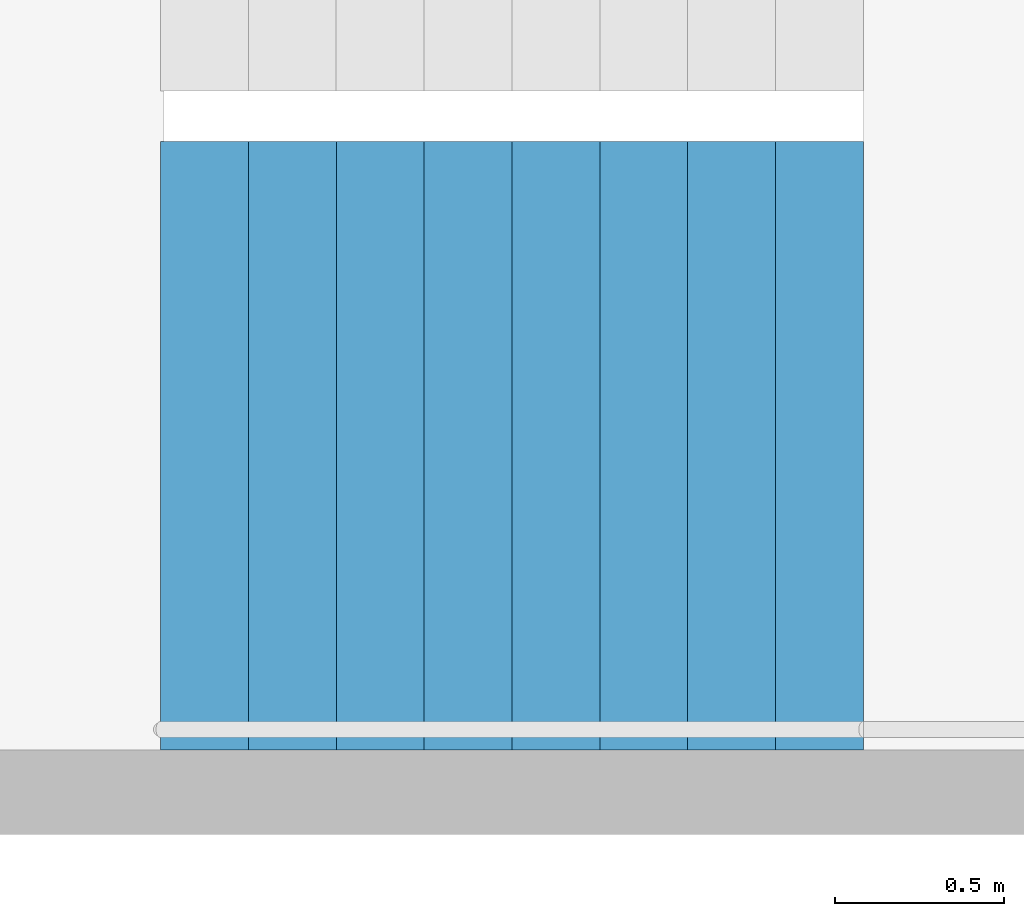
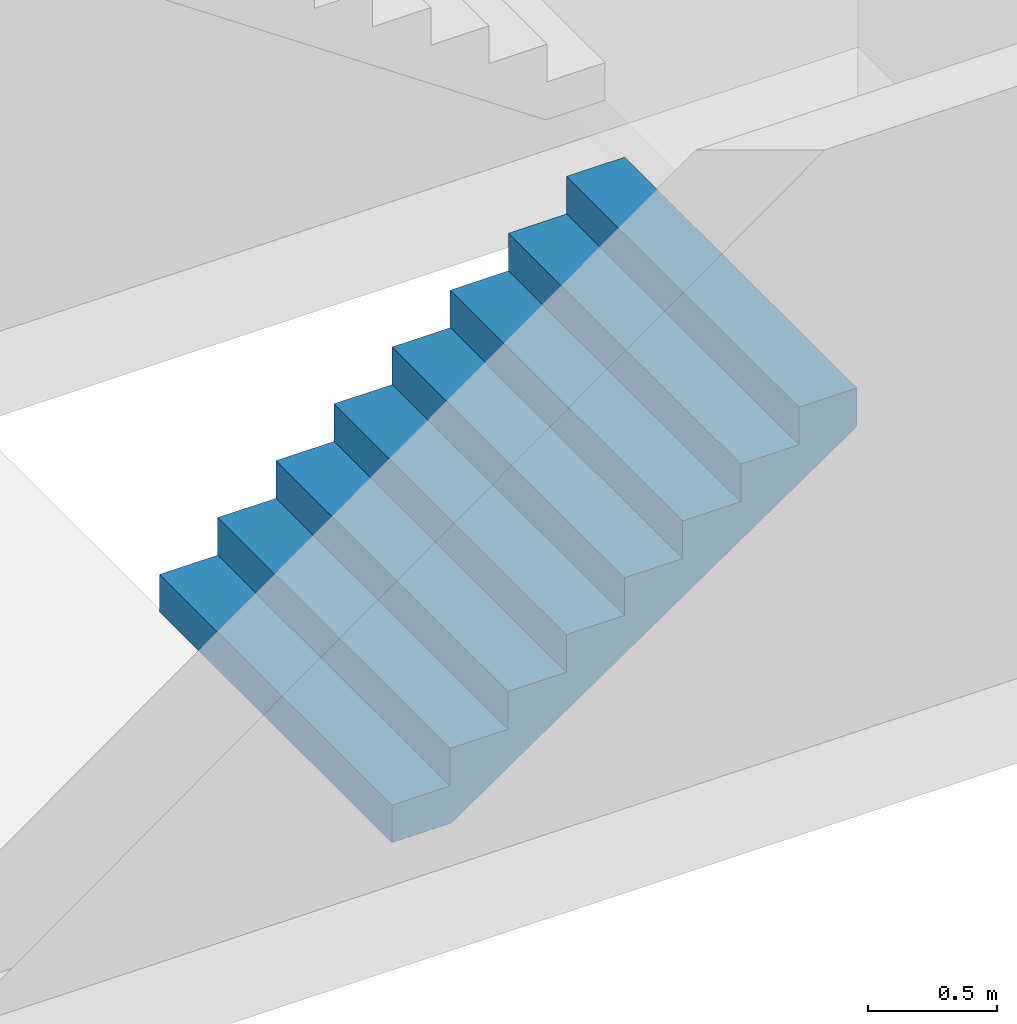
# One storey, part 23 of 29: 1 stair flight, 1 element without a shape of its own.
"""IFC4 building model written with IfcOpenShell, lengths in metres."""

from ifc_helpers import new_model, si_unit, direction, frame, origin, place, context, subcontext, project, spatial, triangles, material, type_object, element, aggregate, save


model = new_model("IFC4")

# Units and contexts
model_context = context("Model", 3, precision=1e-05, world=origin(), true_north=direction((0.0, 1.0)))
body_context = subcontext(model_context, "Body", "Model", "MODEL_VIEW")
ifc_project = project(units=[si_unit("LENGTHUNIT", "METRE"), si_unit("AREAUNIT", "SQUARE_METRE"), si_unit("VOLUMEUNIT", "CUBIC_METRE"), si_unit("PLANEANGLEUNIT", "RADIAN"), si_unit("MASSUNIT", "GRAM", prefix="KILO")], contexts=[model_context])

# Site, building, storey
site_placement = place(None, origin())
site = spatial("IfcSite", under=ifc_project, at=site_placement, CompositionType="ELEMENT")
building_placement = place(site_placement, origin())
building = spatial("IfcBuilding", under=site, at=building_placement, Name="Hakoniwa Tower and Hamabe Station Hall", CompositionType="ELEMENT")
storey_placement = place(building_placement, frame((0.0, 0.0, 91.39990234375)))
storey = spatial("IfcBuildingStorey", under=building, at=storey_placement, Name="L25", CompositionType="ELEMENT", Elevation=91.39990234375)

# Stair, stair flight
ifc_material_1 = material(Name="Concrete C40", Category="concrete")
stair_type = type_object("IfcStairType", Name="ESCAPE STAIR 1800", PredefinedType="HALF_TURN_STAIR", material=ifc_material_1)
stair_placement = place(storey_placement, origin())
stair = element("IfcStair", 1, at=stair_placement, inside=storey, type_object=stair_type, Name="Escape stair ST-1 L25", PredefinedType="HALF_TURN_STAIR")
ifc_material_2 = material(Name="Concrete C40", Category="concrete")
stair_flight_type = type_object("IfcStairFlightType", Name="STAIR FLIGHT 1800", PredefinedType="STRAIGHT", material=ifc_material_2)
stair_flight_placement = place(storey_placement, frame((-24.39990234375, 4.64990234375, 0.0), z_axis=(0.0, 0.0, 1.0), x_axis=(1.0, 0.0, 0.0)))
stair_flight = element("IfcStairFlight", 2, at=stair_flight_placement, type_object=stair_flight_type, Name="ST-1 flight 1", NumberOfRisers=9, NumberOfTreads=8, PredefinedType="STRAIGHT", RiserHeight=0.177777778, TreadLength=0.26, context=body_context, shape_type="Tessellation", body=[
    triangles([(0.0, 0.89990234375, 0.0), (0.260009765625, 0.89990234375, 0.0), (0.265625, 0.89990234375, 0.0), (0.52001953125, 0.89990234375, 0.174072265625), (0.780029296875, 0.89990234375, 0.351806640625), (1.0400390625, 0.89990234375, 0.529541015625), (1.300048828125, 0.89990234375, 0.707275390625), (1.56005859375, 0.89990234375, 0.885009765625), (1.820068359375, 0.89990234375, 1.062744140625), (2.080078125, 0.89990234375, 1.24072265625), (2.080078125, 0.89990234375, 1.422119140625), (1.820068359375, 0.89990234375, 1.422119140625), (1.820068359375, 0.89990234375, 1.244384765625), (1.56005859375, 0.89990234375, 1.244384765625), (1.56005859375, 0.89990234375, 1.066650390625), (1.300048828125, 0.89990234375, 1.066650390625), (1.300048828125, 0.89990234375, 0.888916015625), (1.0400390625, 0.89990234375, 0.888916015625), (1.0400390625, 0.89990234375, 0.711181640625), (0.780029296875, 0.89990234375, 0.711181640625), (0.780029296875, 0.89990234375, 0.533447265625), (0.52001953125, 0.89990234375, 0.533447265625), (0.52001953125, 0.89990234375, 0.35546875), (0.265625, 0.89990234375, 0.35546875), (0.260009765625, 0.89990234375, 0.35546875), (0.260009765625, 0.89990234375, 0.177734375), (0.0, 0.89990234375, 0.177734375), (0.0, 0.06005859375, 0.0), (0.260009765625, 0.06005859375, 0.0), (0.265625, 0.06005859375, 0.0), (0.52001953125, 0.06005859375, 0.174072265625), (0.780029296875, 0.06005859375, 0.351806640625), (1.0400390625, 0.06005859375, 0.529541015625), (1.300048828125, 0.06005859375, 0.707275390625), (1.56005859375, 0.06005859375, 0.885009765625), (1.820068359375, 0.06005859375, 1.062744140625), (2.080078125, 0.06005859375, 1.24072265625), (2.080078125, 0.06005859375, 1.422119140625), (1.820068359375, 0.06005859375, 1.422119140625), (1.820068359375, 0.06005859375, 1.244384765625), (1.56005859375, 0.06005859375, 1.244384765625), (1.56005859375, 0.06005859375, 1.066650390625), (1.300048828125, 0.06005859375, 1.066650390625), (1.300048828125, 0.06005859375, 0.888916015625), (1.0400390625, 0.06005859375, 0.888916015625), (1.0400390625, 0.06005859375, 0.711181640625), (0.780029296875, 0.06005859375, 0.711181640625), (0.780029296875, 0.06005859375, 0.533447265625), (0.52001953125, 0.06005859375, 0.533447265625), (0.52001953125, 0.06005859375, 0.35546875), (0.265625, 0.06005859375, 0.35546875), (0.260009765625, 0.06005859375, 0.35546875), (0.260009765625, 0.06005859375, 0.177734375), (0.0, 0.06005859375, 0.177734375), (0.0, 0.04296875, 0.0), (0.260009765625, 0.04296875, 0.0), (0.265625, 0.04296875, 0.0), (0.52001953125, 0.04296875, 0.174072265625), (0.780029296875, 0.04296875, 0.351806640625), (1.0400390625, 0.04296875, 0.529541015625), (1.300048828125, 0.04296875, 0.707275390625), (1.56005859375, 0.04296875, 0.885009765625), (1.820068359375, 0.04296875, 1.062744140625), (2.080078125, 0.04296875, 1.24072265625), (2.080078125, 0.04296875, 1.422119140625), (1.820068359375, 0.04296875, 1.422119140625), (1.820068359375, 0.04296875, 1.244384765625), (1.56005859375, 0.04296875, 1.244384765625), (1.56005859375, 0.04296875, 1.066650390625), (1.300048828125, 0.04296875, 1.066650390625), (1.300048828125, 0.04296875, 0.888916015625), (1.0400390625, 0.04296875, 0.888916015625), (1.0400390625, 0.04296875, 0.711181640625), (0.780029296875, 0.04296875, 0.711181640625), (0.780029296875, 0.04296875, 0.533447265625), (0.52001953125, 0.04296875, 0.533447265625), (0.52001953125, 0.04296875, 0.35546875), (0.265625, 0.04296875, 0.35546875), (0.260009765625, 0.04296875, 0.35546875), (0.260009765625, 0.04296875, 0.177734375), (0.0, 0.04296875, 0.177734375), (0.0, 0.025634765625, 0.0), (0.260009765625, 0.025634765625, 0.0), (0.265625, 0.025634765625, 0.0), (0.52001953125, 0.025634765625, 0.174072265625), (0.780029296875, 0.025634765625, 0.351806640625), (1.0400390625, 0.025634765625, 0.529541015625), (1.300048828125, 0.025634765625, 0.707275390625), (1.56005859375, 0.025634765625, 0.885009765625), (1.820068359375, 0.025634765625, 1.062744140625), (2.080078125, 0.025634765625, 1.24072265625), (2.080078125, 0.025634765625, 1.422119140625), (1.820068359375, 0.025634765625, 1.422119140625), (1.820068359375, 0.025634765625, 1.244384765625), (1.56005859375, 0.025634765625, 1.244384765625), (1.56005859375, 0.025634765625, 1.066650390625), (1.300048828125, 0.025634765625, 1.066650390625), (1.300048828125, 0.025634765625, 0.888916015625), (1.0400390625, 0.025634765625, 0.888916015625), (1.0400390625, 0.025634765625, 0.711181640625), (0.780029296875, 0.025634765625, 0.711181640625), (0.780029296875, 0.025634765625, 0.533447265625), (0.52001953125, 0.025634765625, 0.533447265625), (0.52001953125, 0.025634765625, 0.35546875), (0.265625, 0.025634765625, 0.35546875), (0.260009765625, 0.025634765625, 0.35546875), (0.260009765625, 0.025634765625, 0.177734375), (0.0, 0.025634765625, 0.177734375), (0.0, 0.008544921875, 0.0), (0.260009765625, 0.008544921875, 0.0), (0.265625, 0.008544921875, 0.0), (0.52001953125, 0.008544921875, 0.174072265625), (0.780029296875, 0.008544921875, 0.351806640625), (1.0400390625, 0.008544921875, 0.529541015625), (1.300048828125, 0.008544921875, 0.707275390625), (1.56005859375, 0.008544921875, 0.885009765625), (1.820068359375, 0.008544921875, 1.062744140625), (2.080078125, 0.008544921875, 1.24072265625), (2.080078125, 0.008544921875, 1.422119140625), (1.820068359375, 0.008544921875, 1.422119140625), (1.820068359375, 0.008544921875, 1.244384765625), (1.56005859375, 0.008544921875, 1.244384765625), (1.56005859375, 0.008544921875, 1.066650390625), (1.300048828125, 0.008544921875, 1.066650390625), (1.300048828125, 0.008544921875, 0.888916015625), (1.0400390625, 0.008544921875, 0.888916015625), (1.0400390625, 0.008544921875, 0.711181640625), (0.780029296875, 0.008544921875, 0.711181640625), (0.780029296875, 0.008544921875, 0.533447265625), (0.52001953125, 0.008544921875, 0.533447265625), (0.52001953125, 0.008544921875, 0.35546875), (0.265625, 0.008544921875, 0.35546875), (0.260009765625, 0.008544921875, 0.35546875), (0.260009765625, 0.008544921875, 0.177734375), (0.0, 0.008544921875, 0.177734375), (0.0, -0.008544921875, 0.0), (0.260009765625, -0.008544921875, 0.0), (0.265625, -0.008544921875, 0.0), (0.52001953125, -0.008544921875, 0.174072265625), (0.780029296875, -0.008544921875, 0.351806640625), (1.0400390625, -0.008544921875, 0.529541015625), (1.300048828125, -0.008544921875, 0.707275390625), (1.56005859375, -0.008544921875, 0.885009765625), (1.820068359375, -0.008544921875, 1.062744140625), (2.080078125, -0.008544921875, 1.24072265625), (2.080078125, -0.008544921875, 1.422119140625), (1.820068359375, -0.008544921875, 1.422119140625), (1.820068359375, -0.008544921875, 1.244384765625), (1.56005859375, -0.008544921875, 1.244384765625), (1.56005859375, -0.008544921875, 1.066650390625), (1.300048828125, -0.008544921875, 1.066650390625), (1.300048828125, -0.008544921875, 0.888916015625), (1.0400390625, -0.008544921875, 0.888916015625), (1.0400390625, -0.008544921875, 0.711181640625), (0.780029296875, -0.008544921875, 0.711181640625), (0.780029296875, -0.008544921875, 0.533447265625), (0.52001953125, -0.008544921875, 0.533447265625), (0.52001953125, -0.008544921875, 0.35546875), (0.265625, -0.008544921875, 0.35546875), (0.260009765625, -0.008544921875, 0.35546875), (0.260009765625, -0.008544921875, 0.177734375), (0.0, -0.008544921875, 0.177734375), (0.0, -0.025634765625, 0.0), (0.260009765625, -0.025634765625, 0.0), (0.265625, -0.025634765625, 0.0), (0.52001953125, -0.025634765625, 0.174072265625), (0.780029296875, -0.025634765625, 0.351806640625), (1.0400390625, -0.025634765625, 0.529541015625), (1.300048828125, -0.025634765625, 0.707275390625), (1.56005859375, -0.025634765625, 0.885009765625), (1.820068359375, -0.025634765625, 1.062744140625), (2.080078125, -0.025634765625, 1.24072265625), (2.080078125, -0.025634765625, 1.422119140625), (1.820068359375, -0.025634765625, 1.422119140625), (1.820068359375, -0.025634765625, 1.244384765625), (1.56005859375, -0.025634765625, 1.244384765625), (1.56005859375, -0.025634765625, 1.066650390625), (1.300048828125, -0.025634765625, 1.066650390625), (1.300048828125, -0.025634765625, 0.888916015625), (1.0400390625, -0.025634765625, 0.888916015625), (1.0400390625, -0.025634765625, 0.711181640625), (0.780029296875, -0.025634765625, 0.711181640625), (0.780029296875, -0.025634765625, 0.533447265625), (0.52001953125, -0.025634765625, 0.533447265625), (0.52001953125, -0.025634765625, 0.35546875), (0.265625, -0.025634765625, 0.35546875), (0.260009765625, -0.025634765625, 0.35546875), (0.260009765625, -0.025634765625, 0.177734375), (0.0, -0.025634765625, 0.177734375), (0.0, -0.04296875, 0.0), (0.260009765625, -0.04296875, 0.0), (0.265625, -0.04296875, 0.0), (0.52001953125, -0.04296875, 0.174072265625), (0.780029296875, -0.04296875, 0.351806640625), (1.0400390625, -0.04296875, 0.529541015625), (1.300048828125, -0.04296875, 0.707275390625), (1.56005859375, -0.04296875, 0.885009765625), (1.820068359375, -0.04296875, 1.062744140625), (2.080078125, -0.04296875, 1.24072265625), (2.080078125, -0.04296875, 1.422119140625), (1.820068359375, -0.04296875, 1.422119140625), (1.820068359375, -0.04296875, 1.244384765625), (1.56005859375, -0.04296875, 1.244384765625), (1.56005859375, -0.04296875, 1.066650390625), (1.300048828125, -0.04296875, 1.066650390625), (1.300048828125, -0.04296875, 0.888916015625), (1.0400390625, -0.04296875, 0.888916015625), (1.0400390625, -0.04296875, 0.711181640625), (0.780029296875, -0.04296875, 0.711181640625), (0.780029296875, -0.04296875, 0.533447265625), (0.52001953125, -0.04296875, 0.533447265625), (0.52001953125, -0.04296875, 0.35546875), (0.265625, -0.04296875, 0.35546875), (0.260009765625, -0.04296875, 0.35546875), (0.260009765625, -0.04296875, 0.177734375), (0.0, -0.04296875, 0.177734375), (0.0, -0.06005859375, 0.0), (0.260009765625, -0.06005859375, 0.0), (0.265625, -0.06005859375, 0.0), (0.52001953125, -0.06005859375, 0.174072265625), (0.780029296875, -0.06005859375, 0.351806640625), (1.0400390625, -0.06005859375, 0.529541015625), (1.300048828125, -0.06005859375, 0.707275390625), (1.56005859375, -0.06005859375, 0.885009765625), (1.820068359375, -0.06005859375, 1.062744140625), (2.080078125, -0.06005859375, 1.24072265625), (2.080078125, -0.06005859375, 1.422119140625), (1.820068359375, -0.06005859375, 1.422119140625), (1.820068359375, -0.06005859375, 1.244384765625), (1.56005859375, -0.06005859375, 1.244384765625), (1.56005859375, -0.06005859375, 1.066650390625), (1.300048828125, -0.06005859375, 1.066650390625), (1.300048828125, -0.06005859375, 0.888916015625), (1.0400390625, -0.06005859375, 0.888916015625), (1.0400390625, -0.06005859375, 0.711181640625), (0.780029296875, -0.06005859375, 0.711181640625), (0.780029296875, -0.06005859375, 0.533447265625), (0.52001953125, -0.06005859375, 0.533447265625), (0.52001953125, -0.06005859375, 0.35546875), (0.265625, -0.06005859375, 0.35546875), (0.260009765625, -0.06005859375, 0.35546875), (0.260009765625, -0.06005859375, 0.177734375), (0.0, -0.06005859375, 0.177734375), (0.0, -0.89990234375, 0.0), (0.260009765625, -0.89990234375, 0.0), (0.265625, -0.89990234375, 0.0), (0.52001953125, -0.89990234375, 0.174072265625), (0.780029296875, -0.89990234375, 0.351806640625), (1.0400390625, -0.89990234375, 0.529541015625), (1.300048828125, -0.89990234375, 0.707275390625), (1.56005859375, -0.89990234375, 0.885009765625), (1.820068359375, -0.89990234375, 1.062744140625), (2.080078125, -0.89990234375, 1.24072265625), (2.080078125, -0.89990234375, 1.422119140625), (1.820068359375, -0.89990234375, 1.422119140625), (1.820068359375, -0.89990234375, 1.244384765625), (1.56005859375, -0.89990234375, 1.244384765625), (1.56005859375, -0.89990234375, 1.066650390625), (1.300048828125, -0.89990234375, 1.066650390625), (1.300048828125, -0.89990234375, 0.888916015625), (1.0400390625, -0.89990234375, 0.888916015625), (1.0400390625, -0.89990234375, 0.711181640625), (0.780029296875, -0.89990234375, 0.711181640625), (0.780029296875, -0.89990234375, 0.533447265625), (0.52001953125, -0.89990234375, 0.533447265625), (0.52001953125, -0.89990234375, 0.35546875), (0.265625, -0.89990234375, 0.35546875), (0.260009765625, -0.89990234375, 0.35546875), (0.260009765625, -0.89990234375, 0.177734375), (0.0, -0.89990234375, 0.177734375)], [[2, 27, 26], [245, 269, 270], [2, 1, 27], [245, 270, 244], [3, 25, 24], [246, 267, 268], [3, 26, 25], [246, 268, 269], [3, 2, 26], [246, 269, 245], [4, 24, 23], [247, 266, 267], [4, 3, 24], [247, 267, 246], [5, 22, 21], [248, 264, 265], [5, 23, 22], [248, 265, 266], [5, 4, 23], [248, 266, 247], [6, 20, 19], [249, 262, 263], [6, 21, 20], [249, 263, 264], [6, 5, 21], [249, 264, 248], [7, 18, 17], [250, 260, 261], [7, 19, 18], [250, 261, 262], [7, 6, 19], [250, 262, 249], [8, 16, 15], [251, 258, 259], [8, 17, 16], [251, 259, 260], [8, 7, 17], [251, 260, 250], [9, 14, 13], [252, 256, 257], [9, 15, 14], [252, 257, 258], [9, 8, 15], [252, 258, 251], [10, 12, 11], [253, 254, 255], [10, 13, 12], [253, 255, 256], [10, 9, 13], [253, 256, 252], [1, 2, 29], [1, 29, 28], [28, 29, 56], [28, 56, 55], [55, 56, 83], [55, 83, 82], [82, 83, 110], [82, 110, 109], [109, 110, 137], [109, 137, 136], [136, 137, 164], [136, 164, 163], [163, 164, 191], [163, 191, 190], [190, 191, 218], [190, 218, 217], [217, 218, 245], [217, 245, 244], [2, 3, 30], [2, 30, 29], [29, 30, 57], [29, 57, 56], [56, 57, 84], [56, 84, 83], [83, 84, 111], [83, 111, 110], [110, 111, 138], [110, 138, 137], [137, 138, 165], [137, 165, 164], [164, 165, 192], [164, 192, 191], [191, 192, 219], [191, 219, 218], [218, 219, 246], [218, 246, 245], [3, 4, 31], [3, 31, 30], [30, 31, 58], [30, 58, 57], [57, 58, 85], [57, 85, 84], [84, 85, 112], [84, 112, 111], [111, 112, 139], [111, 139, 138], [138, 139, 166], [138, 166, 165], [165, 166, 193], [165, 193, 192], [192, 193, 220], [192, 220, 219], [219, 220, 247], [219, 247, 246], [4, 5, 32], [4, 32, 31], [31, 32, 59], [31, 59, 58], [58, 59, 86], [58, 86, 85], [85, 86, 113], [85, 113, 112], [112, 113, 140], [112, 140, 139], [139, 140, 167], [139, 167, 166], [166, 167, 194], [166, 194, 193], [193, 194, 221], [193, 221, 220], [220, 221, 248], [220, 248, 247], [5, 6, 33], [5, 33, 32], [32, 33, 60], [32, 60, 59], [59, 60, 87], [59, 87, 86], [86, 87, 114], [86, 114, 113], [113, 114, 141], [113, 141, 140], [140, 141, 168], [140, 168, 167], [167, 168, 195], [167, 195, 194], [194, 195, 222], [194, 222, 221], [221, 222, 249], [221, 249, 248], [6, 7, 34], [6, 34, 33], [33, 34, 61], [33, 61, 60], [60, 61, 88], [60, 88, 87], [87, 88, 115], [87, 115, 114], [114, 115, 142], [114, 142, 141], [141, 142, 169], [141, 169, 168], [168, 169, 196], [168, 196, 195], [195, 196, 223], [195, 223, 222], [222, 223, 250], [222, 250, 249], [7, 8, 35], [7, 35, 34], [34, 35, 62], [34, 62, 61], [61, 62, 89], [61, 89, 88], [88, 89, 116], [88, 116, 115], [115, 116, 143], [115, 143, 142], [142, 143, 170], [142, 170, 169], [169, 170, 197], [169, 197, 196], [196, 197, 224], [196, 224, 223], [223, 224, 251], [223, 251, 250], [8, 9, 36], [8, 36, 35], [35, 36, 63], [35, 63, 62], [62, 63, 90], [62, 90, 89], [89, 90, 117], [89, 117, 116], [116, 117, 144], [116, 144, 143], [143, 144, 171], [143, 171, 170], [170, 171, 198], [170, 198, 197], [197, 198, 225], [197, 225, 224], [224, 225, 252], [224, 252, 251], [9, 10, 37], [9, 37, 36], [36, 37, 64], [36, 64, 63], [63, 64, 91], [63, 91, 90], [90, 91, 118], [90, 118, 117], [117, 118, 145], [117, 145, 144], [144, 145, 172], [144, 172, 171], [171, 172, 199], [171, 199, 198], [198, 199, 226], [198, 226, 225], [225, 226, 253], [225, 253, 252], [10, 11, 38], [10, 38, 37], [37, 38, 65], [37, 65, 64], [64, 65, 92], [64, 92, 91], [91, 92, 119], [91, 119, 118], [118, 119, 146], [118, 146, 145], [145, 146, 173], [145, 173, 172], [172, 173, 200], [172, 200, 199], [199, 200, 227], [199, 227, 226], [226, 227, 254], [226, 254, 253], [11, 12, 39], [11, 39, 38], [38, 39, 66], [38, 66, 65], [65, 66, 93], [65, 93, 92], [92, 93, 120], [92, 120, 119], [119, 120, 147], [119, 147, 146], [146, 147, 174], [146, 174, 173], [173, 174, 201], [173, 201, 200], [200, 201, 228], [200, 228, 227], [227, 228, 255], [227, 255, 254], [12, 13, 40], [12, 40, 39], [39, 40, 67], [39, 67, 66], [66, 67, 94], [66, 94, 93], [93, 94, 121], [93, 121, 120], [120, 121, 148], [120, 148, 147], [147, 148, 175], [147, 175, 174], [174, 175, 202], [174, 202, 201], [201, 202, 229], [201, 229, 228], [228, 229, 256], [228, 256, 255], [13, 14, 41], [13, 41, 40], [40, 41, 68], [40, 68, 67], [67, 68, 95], [67, 95, 94], [94, 95, 122], [94, 122, 121], [121, 122, 149], [121, 149, 148], [148, 149, 176], [148, 176, 175], [175, 176, 203], [175, 203, 202], [202, 203, 230], [202, 230, 229], [229, 230, 257], [229, 257, 256], [14, 15, 42], [14, 42, 41], [41, 42, 69], [41, 69, 68], [68, 69, 96], [68, 96, 95], [95, 96, 123], [95, 123, 122], [122, 123, 150], [122, 150, 149], [149, 150, 177], [149, 177, 176], [176, 177, 204], [176, 204, 203], [203, 204, 231], [203, 231, 230], [230, 231, 258], [230, 258, 257], [15, 16, 43], [15, 43, 42], [42, 43, 70], [42, 70, 69], [69, 70, 97], [69, 97, 96], [96, 97, 124], [96, 124, 123], [123, 124, 151], [123, 151, 150], [150, 151, 178], [150, 178, 177], [177, 178, 205], [177, 205, 204], [204, 205, 232], [204, 232, 231], [231, 232, 259], [231, 259, 258], [16, 17, 44], [16, 44, 43], [43, 44, 71], [43, 71, 70], [70, 71, 98], [70, 98, 97], [97, 98, 125], [97, 125, 124], [124, 125, 152], [124, 152, 151], [151, 152, 179], [151, 179, 178], [178, 179, 206], [178, 206, 205], [205, 206, 233], [205, 233, 232], [232, 233, 260], [232, 260, 259], [17, 18, 45], [17, 45, 44], [44, 45, 72], [44, 72, 71], [71, 72, 99], [71, 99, 98], [98, 99, 126], [98, 126, 125], [125, 126, 153], [125, 153, 152], [152, 153, 180], [152, 180, 179], [179, 180, 207], [179, 207, 206], [206, 207, 234], [206, 234, 233], [233, 234, 261], [233, 261, 260], [18, 19, 46], [18, 46, 45], [45, 46, 73], [45, 73, 72], [72, 73, 100], [72, 100, 99], [99, 100, 127], [99, 127, 126], [126, 127, 154], [126, 154, 153], [153, 154, 181], [153, 181, 180], [180, 181, 208], [180, 208, 207], [207, 208, 235], [207, 235, 234], [234, 235, 262], [234, 262, 261], [19, 20, 47], [19, 47, 46], [46, 47, 74], [46, 74, 73], [73, 74, 101], [73, 101, 100], [100, 101, 128], [100, 128, 127], [127, 128, 155], [127, 155, 154], [154, 155, 182], [154, 182, 181], [181, 182, 209], [181, 209, 208], [208, 209, 236], [208, 236, 235], [235, 236, 263], [235, 263, 262], [20, 21, 48], [20, 48, 47], [47, 48, 75], [47, 75, 74], [74, 75, 102], [74, 102, 101], [101, 102, 129], [101, 129, 128], [128, 129, 156], [128, 156, 155], [155, 156, 183], [155, 183, 182], [182, 183, 210], [182, 210, 209], [209, 210, 237], [209, 237, 236], [236, 237, 264], [236, 264, 263], [21, 22, 49], [21, 49, 48], [48, 49, 76], [48, 76, 75], [75, 76, 103], [75, 103, 102], [102, 103, 130], [102, 130, 129], [129, 130, 157], [129, 157, 156], [156, 157, 184], [156, 184, 183], [183, 184, 211], [183, 211, 210], [210, 211, 238], [210, 238, 237], [237, 238, 265], [237, 265, 264], [22, 23, 50], [22, 50, 49], [49, 50, 77], [49, 77, 76], [76, 77, 104], [76, 104, 103], [103, 104, 131], [103, 131, 130], [130, 131, 158], [130, 158, 157], [157, 158, 185], [157, 185, 184], [184, 185, 212], [184, 212, 211], [211, 212, 239], [211, 239, 238], [238, 239, 266], [238, 266, 265], [23, 24, 51], [23, 51, 50], [50, 51, 78], [50, 78, 77], [77, 78, 105], [77, 105, 104], [104, 105, 132], [104, 132, 131], [131, 132, 159], [131, 159, 158], [158, 159, 186], [158, 186, 185], [185, 186, 213], [185, 213, 212], [212, 213, 240], [212, 240, 239], [239, 240, 267], [239, 267, 266], [24, 25, 52], [24, 52, 51], [51, 52, 79], [51, 79, 78], [78, 79, 106], [78, 106, 105], [105, 106, 133], [105, 133, 132], [132, 133, 160], [132, 160, 159], [159, 160, 187], [159, 187, 186], [186, 187, 214], [186, 214, 213], [213, 214, 241], [213, 241, 240], [240, 241, 268], [240, 268, 267], [25, 26, 53], [25, 53, 52], [52, 53, 80], [52, 80, 79], [79, 80, 107], [79, 107, 106], [106, 107, 134], [106, 134, 133], [133, 134, 161], [133, 161, 160], [160, 161, 188], [160, 188, 187], [187, 188, 215], [187, 215, 214], [214, 215, 242], [214, 242, 241], [241, 242, 269], [241, 269, 268], [26, 27, 54], [26, 54, 53], [53, 54, 81], [53, 81, 80], [80, 81, 108], [80, 108, 107], [107, 108, 135], [107, 135, 134], [134, 135, 162], [134, 162, 161], [161, 162, 189], [161, 189, 188], [188, 189, 216], [188, 216, 215], [215, 216, 243], [215, 243, 242], [242, 243, 270], [242, 270, 269], [27, 1, 28], [27, 28, 54], [54, 28, 55], [54, 55, 81], [81, 55, 82], [81, 82, 108], [108, 82, 109], [108, 109, 135], [135, 109, 136], [135, 136, 162], [162, 136, 163], [162, 163, 189], [189, 163, 190], [189, 190, 216], [216, 190, 217], [216, 217, 243], [243, 217, 244], [243, 244, 270]], closed=True),
])
aggregate(stair, [stair_flight])

save(model, "model.ifc")
